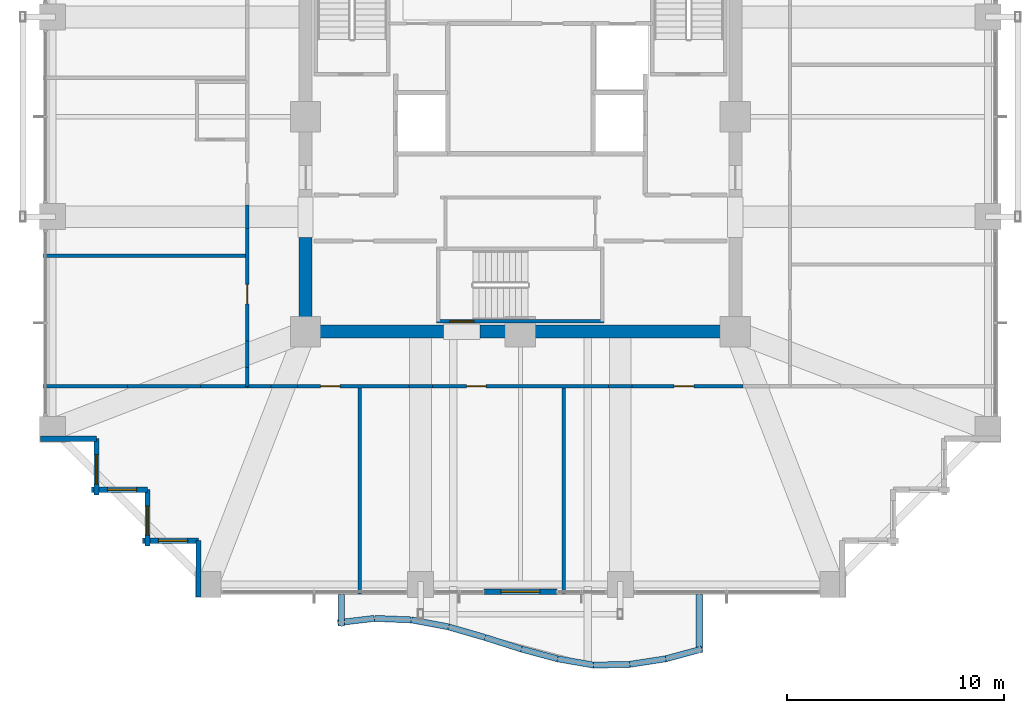
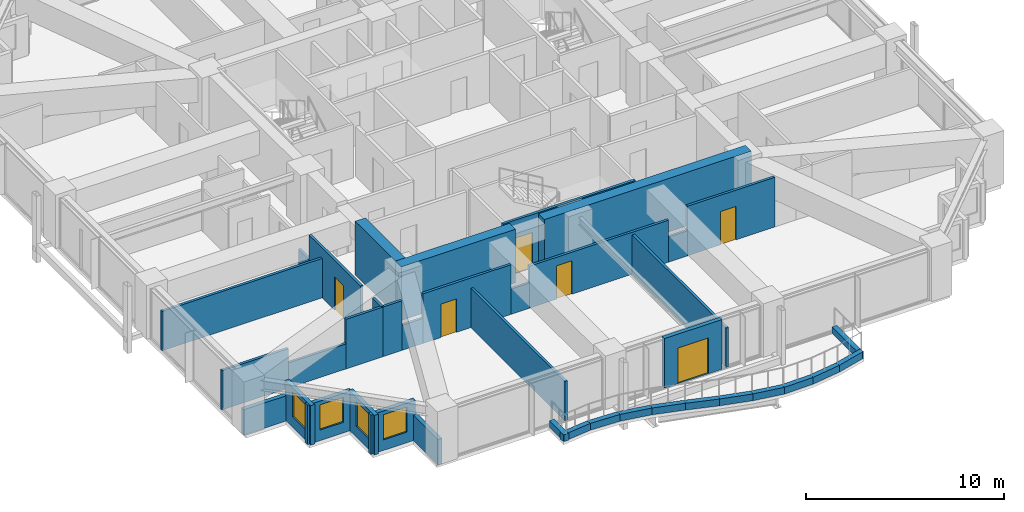
# One storey, part 31 of 37: 40 walls, 6 doors, 4 windows, 10 openings.
"""IFC4 building model written with IfcOpenShell, lengths in metres."""

import ifcopenshell
import ifcopenshell.guid

model = None  # the IFC model being written
_history = None  # IfcOwnerHistory: only IFC2X3 demands one
_inside = {}  # id of a spatial element -> (the spatial element, [elements in it])
_under = {}  # id of a project, library or spatial element -> (it, [spatial elements below it])
_declared = {}  # id of a project -> (the project, [libraries it declares])
_typed = {}  # id of a type object -> (the type object, [elements of that type])
_made_of = {}  # id of a material, layer set ... -> (it, [elements and type objects made of it])


def new_model(schema):
    """Start an empty IFC model of exactly this schema.

    Asked for "IFC4X3", IfcOpenShell would pick the latest addendum, in which some entities
    have other attributes; the version numbers below select the first issue.
    IFC2X3 requires an IfcOwnerHistory on every rooted entity: one is made here for all.
    """
    global model, _history
    if schema == "IFC4X3":
        model = ifcopenshell.file(schema_version=(4, 3, 0, 0))
    else:
        model = ifcopenshell.file(schema=schema)
    _inside.clear()
    _under.clear()
    _declared.clear()
    _typed.clear()
    _made_of.clear()
    _history = None
    if model.schema == "IFC2X3":
        org = make("IfcOrganization", Name="unknown")
        user = make(
            "IfcPersonAndOrganization",
            ThePerson=make("IfcPerson", FamilyName="unknown"),
            TheOrganization=org,
        )
        app = make(
            "IfcApplication",
            ApplicationDeveloper=org,
            Version="unknown",
            ApplicationFullName="unknown",
            ApplicationIdentifier="unknown",
        )
        _history = make(
            "IfcOwnerHistory",
            OwningUser=user,
            OwningApplication=app,
            ChangeAction="ADDED",
            CreationDate=0,
        )
    return model


def make(cls, **values):
    """One entity of the class cls with the attributes given. An attribute that is None is left unset."""
    return model.create_entity(
        cls, **{name: value for name, value in values.items() if value is not None}
    )


def rooted(cls, **values):
    """An entity with a GlobalId (a new one), such as an element, a storey or a relation."""
    return make(cls, GlobalId=ifcopenshell.guid.new(), OwnerHistory=_history, **values)


def si_unit(unit_type, name, prefix=None):
    """IfcSIUnit, for example si_unit("LENGTHUNIT", "METRE", prefix="MILLI")."""
    return make("IfcSIUnit", UnitType=unit_type, Prefix=prefix, Name=name)


def assignment(units):
    """IfcUnitAssignment: the units of a project."""
    return None if units is None else make("IfcUnitAssignment", Units=units)


def point(xyz):
    """IfcCartesianPoint."""
    return None if xyz is None else make("IfcCartesianPoint", Coordinates=xyz)


def direction(xyz):
    """IfcDirection."""
    return None if xyz is None else make("IfcDirection", DirectionRatios=xyz)


def frame(location, z_axis=None, x_axis=None):
    """IfcAxis2Placement3D, a coordinate frame: its origin and axes. An axis left out is left unset."""
    return make(
        "IfcAxis2Placement3D",
        Location=point(location),
        Axis=direction(z_axis),
        RefDirection=direction(x_axis),
    )


def frame_2d(location, x_axis=None):
    """IfcAxis2Placement2D, a coordinate frame in the plane: its origin and x axis."""
    return make(
        "IfcAxis2Placement2D", Location=point(location), RefDirection=direction(x_axis)
    )


def origin():
    """The frame at (0, 0, 0) with its axes left unset."""
    return frame((0.0, 0.0, 0.0))


def place(relative_to, where):
    """IfcLocalPlacement: puts the frame where relative to a parent placement (None: the world)."""
    return make(
        "IfcLocalPlacement", PlacementRelTo=relative_to, RelativePlacement=where
    )


def context(
    kind, dimensions, precision=None, world=None, true_north=None, identifier=None
):
    """IfcGeometricRepresentationContext, for example the 3D "Model" context."""
    return make(
        "IfcGeometricRepresentationContext",
        ContextIdentifier=identifier,
        ContextType=kind,
        CoordinateSpaceDimension=dimensions,
        Precision=precision,
        WorldCoordinateSystem=world,
        TrueNorth=true_north,
    )


def subcontext(parent, identifier, kind, view, scale=None):
    """IfcGeometricRepresentationSubContext, for example "Body" below "Model"."""
    return make(
        "IfcGeometricRepresentationSubContext",
        ContextIdentifier=identifier,
        ContextType=kind,
        ParentContext=parent,
        TargetScale=scale,
        TargetView=view,
    )


def project(units=None, contexts=None):
    """IfcProject with its units and contexts."""
    return rooted(
        "IfcProject",
        Name="project",
        RepresentationContexts=contexts,
        UnitsInContext=assignment(units),
    )


def spatial(cls, under=None, at=None, **own):
    """A site, building, storey or space (cls), placed at a placement, below another one or the project."""
    s = rooted(cls, ObjectPlacement=at, **own)
    if under is not None:
        _under.setdefault(under.id(), (under, []))[1].append(s)
    return s


def profile(cls, at=None, kind="AREA", **sizes):
    """A parametric profile (cls). Its sizes go by their IFC names, for example OverallWidth=200.0."""
    return make(cls, ProfileType=kind, Position=at, **sizes)


def rectangle(**sizes):
    """IfcRectangleProfileDef."""
    return profile("IfcRectangleProfileDef", **sizes)


def extrude(swept, where, along, depth):
    """IfcExtrudedAreaSolid: the profile swept, set in the frame where, extruded along a direction by depth."""
    return make(
        "IfcExtrudedAreaSolid",
        SweptArea=swept,
        Position=where,
        ExtrudedDirection=direction(along),
        Depth=depth,
    )


def shape(context_of_items, identifier, shape_type, items):
    """IfcShapeRepresentation: the items that make up one representation, for example the "Body"."""
    return make(
        "IfcShapeRepresentation",
        ContextOfItems=context_of_items,
        RepresentationIdentifier=identifier,
        RepresentationType=shape_type,
        Items=items,
    )


def material(Name=None, Category=None):
    """IfcMaterial."""
    return make("IfcMaterial", Name=Name, Category=Category)


def layer(
    of_material, thickness, ventilated=None, Name=None, Category=None, Priority=None
):
    """IfcMaterialLayer: one layer of a wall or slab, of a material (None: an air gap)."""
    return make(
        "IfcMaterialLayer",
        Material=of_material,
        LayerThickness=thickness,
        IsVentilated=ventilated,
        Name=Name,
        Category=Category,
        Priority=Priority,
    )


def layer_set(layers, Name=None):
    """IfcMaterialLayerSet."""
    return make("IfcMaterialLayerSet", MaterialLayers=layers, LayerSetName=Name)


def made_of(thing, what):
    """Note that an element or type object is made of a material, layer set ...; save() writes the relation."""
    if what is not None:
        _made_of.setdefault(what.id(), (what, []))[1].append(thing)
    return thing


def type_object(cls, material=None, **own):
    """A type object (cls), such as IfcWallType, which elements share."""
    return made_of(rooted(cls, **own), material)


def element(
    cls,
    number,
    at=None,
    inside=None,
    cuts=None,
    type_object=None,
    material=None,
    context=None,
    identifier="Body",
    shape_type=None,
    held_by="IfcProductDefinitionShape",
    body=None,
    shapes=None,
    **own,
):
    """One element of the class cls, such as IfcWall. Its Tag is "e" and its number.

    at: its placement. inside: the storey or other place that contains it. cuts: it is an
    opening in that element (IfcRelVoidsElement). A single representation is given by context,
    identifier, shape_type and body (its items); several are given by shapes. held_by: the class
    of the entity that holds the representations. save() writes the other relations.
    """
    e = rooted(cls, Tag="e%d" % number, ObjectPlacement=at, **own)
    if body is not None:
        shapes = [shape(context, identifier, shape_type, body)]
    if shapes is not None:
        e.Representation = make(held_by, Representations=shapes)
    if inside is not None:
        _inside.setdefault(inside.id(), (inside, []))[1].append(e)
    if cuts is not None:
        rooted(
            "IfcRelVoidsElement", RelatingBuildingElement=cuts, RelatedOpeningElement=e
        )
    if type_object is not None:
        _typed.setdefault(type_object.id(), (type_object, []))[1].append(e)
    return made_of(e, material)


def fill(opening, filler):
    """IfcRelFillsElement: the door or window that sits in an opening."""
    return rooted(
        "IfcRelFillsElement",
        RelatingOpeningElement=opening,
        RelatedBuildingElement=filler,
    )


def aggregate(whole, parts):
    """IfcRelAggregates: a whole, such as a stair, and the parts it consists of."""
    return rooted("IfcRelAggregates", RelatingObject=whole, RelatedObjects=parts)


def save(model, path):
    """Write the relations noted so far, then the file.

    IfcRelAggregates (storeys below a building ...), IfcRelContainedInSpatialStructure (elements
    in a storey), IfcRelDefinesByType, IfcRelAssociatesMaterial and IfcRelDeclares: one each for
    every whole, place, type object, material and project.
    """
    for whole, parts in _under.values():
        aggregate(whole, parts)
    for where, things in _inside.values():
        rooted(
            "IfcRelContainedInSpatialStructure",
            RelatedElements=things,
            RelatingStructure=where,
        )
    for kind, things in _typed.values():
        rooted("IfcRelDefinesByType", RelatedObjects=things, RelatingType=kind)
    for what, things in _made_of.values():
        rooted("IfcRelAssociatesMaterial", RelatedObjects=things, RelatingMaterial=what)
    for by, libraries in _declared.values():
        rooted("IfcRelDeclares", RelatingContext=by, RelatedDefinitions=libraries)
    model.write(path)


model = new_model("IFC4")

# Units and contexts
model_context = context("Model", 3, precision=1e-05, world=origin(), true_north=direction((0.0, 1.0)))
body_context = subcontext(model_context, "Body", "Model", "MODEL_VIEW")
ifc_project = project(units=[si_unit("LENGTHUNIT", "METRE"), si_unit("AREAUNIT", "SQUARE_METRE"), si_unit("VOLUMEUNIT", "CUBIC_METRE"), si_unit("PLANEANGLEUNIT", "RADIAN"), si_unit("MASSUNIT", "GRAM", prefix="KILO")], contexts=[model_context])

# Site, building, storey
site_placement = place(None, origin())
site = spatial("IfcSite", under=ifc_project, at=site_placement, CompositionType="ELEMENT")
building_placement = place(site_placement, origin())
building = spatial("IfcBuilding", under=site, at=building_placement, Name="Kolvaren Belvedere", CompositionType="ELEMENT")
storey_placement = place(building_placement, frame((0.0, 0.0, 43.60009765625)))
storey = spatial("IfcBuildingStorey", under=building, at=storey_placement, Name="L12", CompositionType="ELEMENT", Elevation=43.60009765625)

# Walls
ifc_material_1 = material(Name="Concrete C60/75", Category="concrete")
ifc_layer_1 = layer(ifc_material_1, 0.60009765625)
ifc_layer_set_1 = layer_set([ifc_layer_1], Name="Concrete C60/75")
wall_type_1 = type_object("IfcWallType", Name="CW-CORE-600", PredefinedType="SHEAR", material=ifc_layer_set_1)
wall_1_placement = place(storey_placement, frame((10.199951171875, -9.89990234375, 0.0), z_axis=(0.0, 0.0, 1.0), x_axis=(-1.0, 0.0, 0.0)))
element("IfcWall", 1, at=wall_1_placement, inside=storey, type_object=wall_type_1, Name="L12 South Core Shear Wall 1", PredefinedType="SHEAR", context=body_context, shape_type="SweptSolid", body=[
    extrude(rectangle(XDim=12.06005859375, YDim=0.60009765625, at=frame_2d((6.030029296875, 0.0))), origin(), (0.0, 0.0, 1.0), 3.2998046875),
])
wall_2_placement = place(storey_placement, frame((-3.5400390625, -9.89990234375, 0.0), z_axis=(0.0, 0.0, 1.0), x_axis=(-1.0, 0.0, 0.0)))
element("IfcWall", 2, at=wall_2_placement, inside=storey, type_object=wall_type_1, Name="L12 South Core Shear Wall 2", PredefinedType="SHEAR", context=body_context, shape_type="SweptSolid", body=[
    extrude(rectangle(XDim=6.659912109375, YDim=0.60009765625, at=frame_2d((3.330078125, 0.0))), origin(), (0.0, 0.0, 1.0), 3.2998046875),
])
wall_3_placement = place(storey_placement, frame((-9.89990234375, -9.60009765625, 0.0), z_axis=(0.0, 0.0, 1.0), x_axis=(0.0, 1.0, 0.0)))
element("IfcWall", 3, at=wall_3_placement, inside=storey, type_object=wall_type_1, Name="L12 West Core Shear Wall 1", PredefinedType="SHEAR", context=body_context, shape_type="SweptSolid", body=[
    extrude(rectangle(XDim=4.050048828125, YDim=0.60009765625, at=frame_2d((2.02490234375, 0.0))), origin(), (0.0, 0.0, 1.0), 3.2998046875),
])

# Wall, opening, door
ifc_material_2 = material(Name="Concrete C50/60", Category="concrete")
ifc_layer_2 = layer(ifc_material_2, 0.159912109375)
ifc_layer_set_2 = layer_set([ifc_layer_2], Name="Concrete C50/60")
wall_type_2 = type_object("IfcWallType", Name="CW-STAIR-160", PredefinedType="SHEAR", material=ifc_layer_set_2)
wall_4_placement = place(storey_placement, frame((3.860107421875, -9.429931640625, 0.0), z_axis=(0.0, 0.0, 1.0), x_axis=(-1.0, 0.0, 0.0)))
wall_4 = element("IfcWall", 4, at=wall_4_placement, inside=storey, type_object=wall_type_2, Name="L12 Stair ST-3 South Shear Wall", PredefinedType="SHEAR", context=body_context, shape_type="SweptSolid", body=[
    extrude(rectangle(XDim=7.72021484375, YDim=0.159912109375, at=frame_2d((3.860107421875, 0.0))), origin(), (0.0, 0.0, 1.0), 3.2998046875),
])
opening_1_placement = place(wall_4_placement, frame((6.010009765625, 0.0, 0.0)))
opening_1 = element("IfcOpeningElement", 5, at=opening_1_placement, cuts=wall_4, Name="Opening D-FD90", PredefinedType="OPENING", context=body_context, shape_type="SweptSolid", body=[
    extrude(rectangle(XDim=1.10009765625, YDim=2.199951171875, at=frame_2d((0.550048828125, 1.10009765625))), frame((0.0, 0.08984375, 0.0), z_axis=(0.0, -1.0, 0.0), x_axis=(1.0, 0.0, 0.0)), (0.0, 0.0, 1.0), 0.179931640625),
])
ifc_material_3 = material(Name="Painted hollow stainless steel", Category="steel")
door_type_1 = type_object("IfcDoorType", Name="DR-FD90-1100", OperationType="NOTDEFINED", PredefinedType="DOOR", material=ifc_material_3)
door_1_placement = place(opening_1_placement, origin())
door_1 = element("IfcDoor", 6, at=door_1_placement, inside=storey, type_object=door_type_1, Name="L12 Stair ST-3 Exit Door", OperationType="SINGLE_SWING_RIGHT", OverallHeight=2.199951171875, OverallWidth=1.10009765625, PredefinedType="DOOR", context=body_context, shape_type="SweptSolid", body=[
    extrude(rectangle(XDim=1.10009765625, YDim=2.199951171875, at=frame_2d((0.550048828125, 1.10009765625))), frame((0.0, 0.02490234375, 0.0), z_axis=(0.0, -1.0, 0.0), x_axis=(1.0, 0.0, 0.0)), (0.0, 0.0, 1.0), 0.050048828125),
])
fill(opening_1, door_1)

# Walls
ifc_material_4 = material(Name="Gypsum fire-rated partition assembly", Category="gypsum")
ifc_layer_3 = layer(ifc_material_4, 0.14990234375)
ifc_layer_set_3 = layer_set([ifc_layer_3], Name="Gypsum fire-rated partition assembly")
wall_type_3 = type_object("IfcWallType", Name="WL-CORR-150", PredefinedType="PARTITIONING", material=ifc_layer_set_3)
wall_5_placement = place(storey_placement, frame((-12.580078125, -12.419921875, 0.0), z_axis=(0.0, 0.0, 1.0), x_axis=(1.0, 0.0, 0.0)))
element("IfcWall", 7, at=wall_5_placement, inside=storey, type_object=wall_type_3, Name="L12 South Corridor Wall", PredefinedType="PARTITIONING", context=body_context, shape_type="SweptSolid", body=[
    extrude(rectangle(XDim=1.09423828125, YDim=0.14990234375, at=frame_2d((0.547119140625, 0.0))), origin(), (0.0, 0.0, 1.0), 3.059814453125),
])
wall_6_placement = place(storey_placement, frame((-11.48583984375, -12.419921875, 0.0), z_axis=(0.0, 0.0, 1.0), x_axis=(1.0, 0.0, 0.0)))
element("IfcWall", 8, at=wall_6_placement, inside=storey, type_object=wall_type_3, Name="L12 South Corridor Wall", PredefinedType="PARTITIONING", context=body_context, shape_type="SweptSolid", body=[
    extrude(rectangle(XDim=1.224853515625, YDim=0.14990234375, at=frame_2d((0.6123046875, 0.0))), origin(), (0.0, 0.0, 1.0), 1.544921875),
])

# Wall, opening, door
wall_7_placement = place(storey_placement, frame((-10.260986328125, -12.419921875, 0.0), z_axis=(0.0, 0.0, 1.0), x_axis=(1.0, 0.0, 0.0)))
wall_7 = element("IfcWall", 9, at=wall_7_placement, inside=storey, type_object=wall_type_3, Name="L12 South Corridor Wall", PredefinedType="PARTITIONING", context=body_context, shape_type="SweptSolid", body=[
    extrude(rectangle(XDim=5.118896484375, YDim=0.14990234375, at=frame_2d((2.5595703125, 0.0))), origin(), (0.0, 0.0, 1.0), 3.059814453125),
])
opening_2_placement = place(wall_7_placement, frame((1.059814453125, 0.0, 0.0)))
opening_2 = element("IfcOpeningElement", 10, at=opening_2_placement, cuts=wall_7, Name="Opening D-INT90", PredefinedType="OPENING", context=body_context, shape_type="SweptSolid", body=[
    extrude(rectangle(XDim=0.89990234375, YDim=2.06005859375, at=frame_2d((0.449951171875, 1.030029296875))), frame((0.0, 0.0849609375, 0.0), z_axis=(0.0, -1.0, 0.0), x_axis=(1.0, 0.0, 0.0)), (0.0, 0.0, 1.0), 0.169921875),
])
ifc_material_5 = material(Name="Stained Pacific white oak", Category="timber")
door_type_2 = type_object("IfcDoorType", Name="DR-INT-900", OperationType="NOTDEFINED", PredefinedType="DOOR", material=ifc_material_5)
door_2_placement = place(opening_2_placement, origin())
door_2 = element("IfcDoor", 11, at=door_2_placement, inside=storey, type_object=door_type_2, Name="L12 Lounge 1201 Door", OperationType="SINGLE_SWING_RIGHT", OverallHeight=2.06005859375, OverallWidth=0.89990234375, PredefinedType="DOOR", context=body_context, shape_type="SweptSolid", body=[
    extrude(rectangle(XDim=0.89990234375, YDim=2.06005859375, at=frame_2d((0.449951171875, 1.030029296875))), frame((0.0, 0.02490234375, 0.0), z_axis=(0.0, -1.0, 0.0), x_axis=(1.0, 0.0, 0.0)), (0.0, 0.0, 1.0), 0.050048828125),
])
fill(opening_2, door_2)

# Wall
wall_8_placement = place(storey_placement, frame((-5.14208984375, -12.419921875, 0.0), z_axis=(0.0, 0.0, 1.0), x_axis=(1.0, 0.0, 0.0)))
element("IfcWall", 12, at=wall_8_placement, inside=storey, type_object=wall_type_3, Name="L12 South Corridor Wall", PredefinedType="PARTITIONING", context=body_context, shape_type="SweptSolid", body=[
    extrude(rectangle(XDim=1.083984375, YDim=0.14990234375, at=frame_2d((0.5419921875, 0.0))), origin(), (0.0, 0.0, 1.0), 1.544921875),
])

# Wall, opening, door
wall_9_placement = place(storey_placement, frame((-4.05810546875, -12.419921875, 0.0), z_axis=(0.0, 0.0, 1.0), x_axis=(1.0, 0.0, 0.0)))
wall_9 = element("IfcWall", 13, at=wall_9_placement, inside=storey, type_object=wall_type_3, Name="L12 South Corridor Wall", PredefinedType="PARTITIONING", context=body_context, shape_type="SweptSolid", body=[
    extrude(rectangle(XDim=8.1162109375, YDim=0.14990234375, at=frame_2d((4.05810546875, 0.0))), origin(), (0.0, 0.0, 1.0), 2.5849609375),
])
opening_3_placement = place(wall_9_placement, frame((1.577880859375, 0.0, 0.0)))
opening_3 = element("IfcOpeningElement", 14, at=opening_3_placement, cuts=wall_9, Name="Opening D-INT90", PredefinedType="OPENING", context=body_context, shape_type="SweptSolid", body=[
    extrude(rectangle(XDim=0.89990234375, YDim=2.06005859375, at=frame_2d((0.449951171875, 1.030029296875))), frame((0.0, 0.0849609375, 0.0), z_axis=(0.0, -1.0, 0.0), x_axis=(1.0, 0.0, 0.0)), (0.0, 0.0, 1.0), 0.169921875),
])
door_3_placement = place(opening_3_placement, origin())
door_3 = element("IfcDoor", 15, at=door_3_placement, inside=storey, type_object=door_type_2, Name="L12 Guest Tea & Espresso Kitchen 1202 Door", OperationType="SINGLE_SWING_LEFT", OverallHeight=2.06005859375, OverallWidth=0.89990234375, PredefinedType="DOOR", context=body_context, shape_type="SweptSolid", body=[
    extrude(rectangle(XDim=0.89990234375, YDim=2.06005859375, at=frame_2d((0.449951171875, 1.030029296875))), frame((0.0, 0.02490234375, 0.0), z_axis=(0.0, -1.0, 0.0), x_axis=(1.0, 0.0, 0.0)), (0.0, 0.0, 1.0), 0.050048828125),
])
fill(opening_3, door_3)

# Wall
wall_10_placement = place(storey_placement, frame((4.05810546875, -12.419921875, 0.0), z_axis=(0.0, 0.0, 1.0), x_axis=(1.0, 0.0, 0.0)))
element("IfcWall", 16, at=wall_10_placement, inside=storey, type_object=wall_type_3, Name="L12 South Corridor Wall", PredefinedType="PARTITIONING", context=body_context, shape_type="SweptSolid", body=[
    extrude(rectangle(XDim=1.083984375, YDim=0.14990234375, at=frame_2d((0.5419921875, 0.0))), origin(), (0.0, 0.0, 1.0), 1.544921875),
])

# Wall, opening, door
wall_11_placement = place(storey_placement, frame((5.14208984375, -12.419921875, 0.0), z_axis=(0.0, 0.0, 1.0), x_axis=(1.0, 0.0, 0.0)))
wall_11 = element("IfcWall", 17, at=wall_11_placement, inside=storey, type_object=wall_type_3, Name="L12 South Corridor Wall", PredefinedType="PARTITIONING", context=body_context, shape_type="SweptSolid", body=[
    extrude(rectangle(XDim=5.118896484375, YDim=0.14990234375, at=frame_2d((2.5595703125, 0.0))), origin(), (0.0, 0.0, 1.0), 3.059814453125),
])
opening_4_placement = place(wall_11_placement, frame((1.943115234375, 0.0, 0.0)))
opening_4 = element("IfcOpeningElement", 18, at=opening_4_placement, cuts=wall_11, Name="Opening D-INT90", PredefinedType="OPENING", context=body_context, shape_type="SweptSolid", body=[
    extrude(rectangle(XDim=0.89990234375, YDim=2.06005859375, at=frame_2d((0.449951171875, 1.030029296875))), frame((0.0, 0.0849609375, 0.0), z_axis=(0.0, -1.0, 0.0), x_axis=(1.0, 0.0, 0.0)), (0.0, 0.0, 1.0), 0.169921875),
])
door_4_placement = place(opening_4_placement, origin())
door_4 = element("IfcDoor", 19, at=door_4_placement, inside=storey, type_object=door_type_2, Name="L12 Lounge 1203 Door", OperationType="SINGLE_SWING_RIGHT", OverallHeight=2.06005859375, OverallWidth=0.89990234375, PredefinedType="DOOR", context=body_context, shape_type="SweptSolid", body=[
    extrude(rectangle(XDim=0.89990234375, YDim=2.06005859375, at=frame_2d((0.449951171875, 1.030029296875))), frame((0.0, 0.02490234375, 0.0), z_axis=(0.0, -1.0, 0.0), x_axis=(1.0, 0.0, 0.0)), (0.0, 0.0, 1.0), 0.050048828125),
])
fill(opening_4, door_4)

# Walls
wall_12_placement = place(storey_placement, frame((-12.580078125, -12.419921875, 0.0), z_axis=(0.0, 0.0, 1.0), x_axis=(0.0, 1.0, 0.0)))
element("IfcWall", 20, at=wall_12_placement, inside=storey, type_object=wall_type_3, Name="L12 West Corridor Wall", PredefinedType="PARTITIONING", context=body_context, shape_type="SweptSolid", body=[
    extrude(rectangle(XDim=0.872314453125, YDim=0.14990234375, at=frame_2d((0.43603515625, 0.0))), origin(), (0.0, 0.0, 1.0), 3.059814453125),
])
wall_13_placement = place(storey_placement, frame((-12.580078125, -11.547607421875, 0.0), z_axis=(0.0, 0.0, 1.0), x_axis=(0.0, 1.0, 0.0)))
element("IfcWall", 21, at=wall_13_placement, inside=storey, type_object=wall_type_3, Name="L12 West Corridor Wall", PredefinedType="PARTITIONING", context=body_context, shape_type="SweptSolid", body=[
    extrude(rectangle(XDim=1.224853515625, YDim=0.14990234375, at=frame_2d((0.6123046875, 0.0))), origin(), (0.0, 0.0, 1.0), 1.544921875),
])

# Wall, opening, door
wall_14_placement = place(storey_placement, frame((-12.580078125, -10.32275390625, 0.0), z_axis=(0.0, 0.0, 1.0), x_axis=(0.0, 1.0, 0.0)))
wall_14 = element("IfcWall", 22, at=wall_14_placement, inside=storey, type_object=wall_type_3, Name="L12 West Corridor Wall", PredefinedType="PARTITIONING", context=body_context, shape_type="SweptSolid", body=[
    extrude(rectangle(XDim=5.1806640625, YDim=0.14990234375, at=frame_2d((2.59033203125, 0.0))), origin(), (0.0, 0.0, 1.0), 3.059814453125),
])
opening_5_placement = place(wall_14_placement, frame((1.703369140625, 0.0, 0.0)))
opening_5 = element("IfcOpeningElement", 23, at=opening_5_placement, cuts=wall_14, Name="Opening D-INT90", PredefinedType="OPENING", context=body_context, shape_type="SweptSolid", body=[
    extrude(rectangle(XDim=0.89990234375, YDim=2.06005859375, at=frame_2d((0.449951171875, 1.030029296875))), frame((0.0, 0.0849609375, 0.0), z_axis=(0.0, -1.0, 0.0), x_axis=(1.0, 0.0, 0.0)), (0.0, 0.0, 1.0), 0.169921875),
])
door_5_placement = place(opening_5_placement, origin())
door_5 = element("IfcDoor", 24, at=door_5_placement, inside=storey, type_object=door_type_2, Name="L12 Botanical Reading Salon 1207 Door", OperationType="SINGLE_SWING_RIGHT", OverallHeight=2.06005859375, OverallWidth=0.89990234375, PredefinedType="DOOR", context=body_context, shape_type="SweptSolid", body=[
    extrude(rectangle(XDim=0.89990234375, YDim=2.06005859375, at=frame_2d((0.449951171875, 1.030029296875))), frame((0.0, 0.02490234375, 0.0), z_axis=(0.0, -1.0, 0.0), x_axis=(1.0, 0.0, 0.0)), (0.0, 0.0, 1.0), 0.050048828125),
])
fill(opening_5, door_5)

# Wall
wall_15_placement = place(storey_placement, frame((-12.580078125, -5.14208984375, 0.0), z_axis=(0.0, 0.0, 1.0), x_axis=(0.0, 1.0, 0.0)))
element("IfcWall", 25, at=wall_15_placement, inside=storey, type_object=wall_type_3, Name="L12 West Corridor Wall", PredefinedType="PARTITIONING", context=body_context, shape_type="SweptSolid", body=[
    extrude(rectangle(XDim=1.083984375, YDim=0.14990234375, at=frame_2d((0.5419921875, 0.0))), origin(), (0.0, 0.0, 1.0), 1.544921875),
])

# Wall, opening, door
ifc_material_6 = material(Name="Insulated pale-metal facade wall assembly", Category="aluminium")
ifc_layer_4 = layer(ifc_material_6, 0.239990234375)
ifc_layer_set_4 = layer_set([ifc_layer_4], Name="Insulated pale-metal facade wall assembly")
wall_type_4 = type_object("IfcWallType", Name="WL-EXT-240", PredefinedType="STANDARD", material=ifc_layer_set_4)
wall_16_placement = place(storey_placement, frame((1.679931640625, -21.8798828125, 0.0), z_axis=(0.0, 0.0, 1.0), x_axis=(-1.0, 0.0, 0.0)))
wall_16 = element("IfcWall", 26, at=wall_16_placement, inside=storey, type_object=wall_type_4, Name="L12 South Terrace Portal Wall", PredefinedType="STANDARD", context=body_context, shape_type="SweptSolid", body=[
    extrude(rectangle(XDim=3.35986328125, YDim=0.239990234375, at=frame_2d((1.679931640625, 0.0))), origin(), (0.0, 0.0, 1.0), 3.059814453125),
])
opening_6_placement = place(wall_16_placement, frame((0.780029296875, 0.0, 0.0)))
opening_6 = element("IfcOpeningElement", 27, at=opening_6_placement, cuts=wall_16, Name="Opening DB-1800", PredefinedType="OPENING", context=body_context, shape_type="SweptSolid", body=[
    extrude(rectangle(XDim=1.800048828125, YDim=2.199951171875, at=frame_2d((0.89990234375, 1.10009765625))), frame((0.0, 0.1298828125, 0.0), z_axis=(0.0, -1.0, 0.0), x_axis=(1.0, 0.0, 0.0)), (0.0, 0.0, 1.0), 0.260009765625),
])
ifc_material_7 = material(Name="Thermally broken pale-metal aluminium & low-iron glass", Category="aluminium")
door_type_3 = type_object("IfcDoorType", Name="DR-BAL-1800", OperationType="DOUBLE_DOOR_SLIDING", PredefinedType="DOOR", material=ifc_material_7)
door_6_placement = place(opening_6_placement, origin())
door_6 = element("IfcDoor", 28, at=door_6_placement, inside=storey, type_object=door_type_3, Name="L12 South Planted Terrace Sliding Door", OperationType="DOUBLE_DOOR_SLIDING", OverallHeight=2.199951171875, OverallWidth=1.800048828125, PredefinedType="DOOR", context=body_context, shape_type="SweptSolid", body=[
    extrude(rectangle(XDim=1.800048828125, YDim=2.199951171875, at=frame_2d((0.89990234375, 1.10009765625))), frame((0.0, 0.02490234375, 0.0), z_axis=(0.0, -1.0, 0.0), x_axis=(1.0, 0.0, 0.0)), (0.0, 0.0, 1.0), 0.050048828125),
])
fill(opening_6, door_6)

# Wall
wall_17_placement = place(storey_placement, frame((-19.530029296875, -14.830078125, 0.0), z_axis=(0.0, 0.0, 1.0), x_axis=(-1.0, 0.0, 0.0)))
element("IfcWall", 29, at=wall_17_placement, inside=storey, type_object=wall_type_4, Name="L12 Serrated Corner Facade Wall 23", PredefinedType="STANDARD", context=body_context, shape_type="SweptSolid", body=[
    extrude(rectangle(XDim=2.590087890625, YDim=0.239990234375, at=frame_2d((1.294921875, 0.0))), origin(), (0.0, 0.0, 1.0), 1.554931640625),
])

# Wall, opening, window
wall_18_placement = place(storey_placement, frame((-19.530029296875, -17.419921875, 0.0), z_axis=(0.0, 0.0, 1.0), x_axis=(0.0, 1.0, 0.0)))
wall_18 = element("IfcWall", 30, at=wall_18_placement, inside=storey, type_object=wall_type_4, Name="L12 Serrated Corner Facade Wall 24", PredefinedType="STANDARD", context=body_context, shape_type="SweptSolid", body=[
    extrude(rectangle(XDim=2.58984375, YDim=0.239990234375, at=frame_2d((1.294921875, 0.0))), origin(), (0.0, 0.0, 1.0), 2.43896484375),
])
opening_7_placement = place(wall_18_placement, frame((0.5, 0.0, 0.64990234375)))
opening_7 = element("IfcOpeningElement", 31, at=opening_7_placement, cuts=wall_18, Name="Opening W-1350", PredefinedType="OPENING", context=body_context, shape_type="SweptSolid", body=[
    extrude(rectangle(XDim=1.35009765625, YDim=1.550048828125, at=frame_2d((0.675048828125, 0.77490234375))), frame((0.0, 0.1298828125, 0.0), z_axis=(0.0, -1.0, 0.0), x_axis=(1.0, 0.0, 0.0)), (0.0, 0.0, 1.0), 0.260009765625),
])
ifc_material_8 = material(Name="Low-iron triple insulated glass", Category="glass")
window_type = type_object("IfcWindowType", Name="WN-CORN-1350", PartitioningType="SINGLE_PANEL", PredefinedType="WINDOW", material=ifc_material_8)
window_1_placement = place(opening_7_placement, origin())
window_1 = element("IfcWindow", 32, at=window_1_placement, inside=storey, type_object=window_type, Name="L12 Serrated Corner Vision Window 24", OverallHeight=1.550048828125, OverallWidth=1.35009765625, PartitioningType="SINGLE_PANEL", PredefinedType="WINDOW", context=body_context, shape_type="SweptSolid", body=[
    extrude(rectangle(XDim=1.35009765625, YDim=1.550048828125, at=frame_2d((0.675048828125, 0.77490234375))), frame((0.0, 0.030029296875, 0.0), z_axis=(0.0, -1.0, 0.0), x_axis=(1.0, 0.0, 0.0)), (0.0, 0.0, 1.0), 0.06005859375),
])
fill(opening_7, window_1)

wall_19_placement = place(storey_placement, frame((-17.179931640625, -17.179931640625, 0.0), z_axis=(0.0, 0.0, 1.0), x_axis=(-1.0, 0.0, 0.0)))
wall_19 = element("IfcWall", 33, at=wall_19_placement, inside=storey, type_object=wall_type_4, Name="L12 Serrated Corner Facade Wall 25", PredefinedType="STANDARD", context=body_context, shape_type="SweptSolid", body=[
    extrude(rectangle(XDim=2.590087890625, YDim=0.239990234375, at=frame_2d((1.294921875, 0.0))), origin(), (0.0, 0.0, 1.0), 2.43896484375),
])
opening_8_placement = place(wall_19_placement, frame((0.5, 0.0, 0.64990234375)))
opening_8 = element("IfcOpeningElement", 34, at=opening_8_placement, cuts=wall_19, Name="Opening W-1350", PredefinedType="OPENING", context=body_context, shape_type="SweptSolid", body=[
    extrude(rectangle(XDim=1.35009765625, YDim=1.550048828125, at=frame_2d((0.675048828125, 0.77490234375))), frame((0.0, 0.1298828125, 0.0), z_axis=(0.0, -1.0, 0.0), x_axis=(1.0, 0.0, 0.0)), (0.0, 0.0, 1.0), 0.260009765625),
])
window_2_placement = place(opening_8_placement, origin())
window_2 = element("IfcWindow", 35, at=window_2_placement, inside=storey, type_object=window_type, Name="L12 Serrated Corner Vision Window 25", OverallHeight=1.550048828125, OverallWidth=1.35009765625, PartitioningType="SINGLE_PANEL", PredefinedType="WINDOW", context=body_context, shape_type="SweptSolid", body=[
    extrude(rectangle(XDim=1.35009765625, YDim=1.550048828125, at=frame_2d((0.675048828125, 0.77490234375))), frame((0.0, 0.030029296875, 0.0), z_axis=(0.0, -1.0, 0.0), x_axis=(1.0, 0.0, 0.0)), (0.0, 0.0, 1.0), 0.06005859375),
])
fill(opening_8, window_2)

wall_20_placement = place(storey_placement, frame((-17.179931640625, -19.77001953125, 0.0), z_axis=(0.0, 0.0, 1.0), x_axis=(0.0, 1.0, 0.0)))
wall_20 = element("IfcWall", 36, at=wall_20_placement, inside=storey, type_object=wall_type_4, Name="L12 Serrated Corner Facade Wall 26", PredefinedType="STANDARD", context=body_context, shape_type="SweptSolid", body=[
    extrude(rectangle(XDim=2.590087890625, YDim=0.239990234375, at=frame_2d((1.294921875, 0.0))), origin(), (0.0, 0.0, 1.0), 2.43896484375),
])
opening_9_placement = place(wall_20_placement, frame((0.5, 0.0, 0.64990234375)))
opening_9 = element("IfcOpeningElement", 37, at=opening_9_placement, cuts=wall_20, Name="Opening W-1350", PredefinedType="OPENING", context=body_context, shape_type="SweptSolid", body=[
    extrude(rectangle(XDim=1.35009765625, YDim=1.550048828125, at=frame_2d((0.675048828125, 0.77490234375))), frame((0.0, 0.1298828125, 0.0), z_axis=(0.0, -1.0, 0.0), x_axis=(1.0, 0.0, 0.0)), (0.0, 0.0, 1.0), 0.260009765625),
])
window_3_placement = place(opening_9_placement, origin())
window_3 = element("IfcWindow", 38, at=window_3_placement, inside=storey, type_object=window_type, Name="L12 Serrated Corner Vision Window 26", OverallHeight=1.550048828125, OverallWidth=1.35009765625, PartitioningType="SINGLE_PANEL", PredefinedType="WINDOW", context=body_context, shape_type="SweptSolid", body=[
    extrude(rectangle(XDim=1.35009765625, YDim=1.550048828125, at=frame_2d((0.675048828125, 0.77490234375))), frame((0.0, 0.030029296875, 0.0), z_axis=(0.0, -1.0, 0.0), x_axis=(1.0, 0.0, 0.0)), (0.0, 0.0, 1.0), 0.06005859375),
])
fill(opening_9, window_3)

wall_21_placement = place(storey_placement, frame((-14.830078125, -19.530029296875, 0.0), z_axis=(0.0, 0.0, 1.0), x_axis=(-1.0, 0.0, 0.0)))
wall_21 = element("IfcWall", 39, at=wall_21_placement, inside=storey, type_object=wall_type_4, Name="L12 Serrated Corner Facade Wall 27", PredefinedType="STANDARD", context=body_context, shape_type="SweptSolid", body=[
    extrude(rectangle(XDim=2.58984375, YDim=0.239990234375, at=frame_2d((1.294921875, 0.0))), origin(), (0.0, 0.0, 1.0), 2.43896484375),
])
opening_10_placement = place(wall_21_placement, frame((0.5, 0.0, 0.64990234375)))
opening_10 = element("IfcOpeningElement", 40, at=opening_10_placement, cuts=wall_21, Name="Opening W-1350", PredefinedType="OPENING", context=body_context, shape_type="SweptSolid", body=[
    extrude(rectangle(XDim=1.35009765625, YDim=1.550048828125, at=frame_2d((0.675048828125, 0.77490234375))), frame((0.0, 0.1298828125, 0.0), z_axis=(0.0, -1.0, 0.0), x_axis=(1.0, 0.0, 0.0)), (0.0, 0.0, 1.0), 0.260009765625),
])
window_4_placement = place(opening_10_placement, origin())
window_4 = element("IfcWindow", 41, at=window_4_placement, inside=storey, type_object=window_type, Name="L12 Serrated Corner Vision Window 27", OverallHeight=1.550048828125, OverallWidth=1.35009765625, PartitioningType="SINGLE_PANEL", PredefinedType="WINDOW", context=body_context, shape_type="SweptSolid", body=[
    extrude(rectangle(XDim=1.35009765625, YDim=1.550048828125, at=frame_2d((0.675048828125, 0.77490234375))), frame((0.0, 0.030029296875, 0.0), z_axis=(0.0, -1.0, 0.0), x_axis=(1.0, 0.0, 0.0)), (0.0, 0.0, 1.0), 0.06005859375),
])
fill(opening_10, window_4)

# Walls
wall_22_placement = place(storey_placement, frame((-14.830078125, -22.1201171875, 0.0), z_axis=(0.0, 0.0, 1.0), x_axis=(0.0, 1.0, 0.0)))
element("IfcWall", 42, at=wall_22_placement, inside=storey, type_object=wall_type_4, Name="L12 Serrated Corner Facade Wall 28", PredefinedType="STANDARD", context=body_context, shape_type="SweptSolid", body=[
    extrude(rectangle(XDim=2.590087890625, YDim=0.239990234375, at=frame_2d((1.294921875, 0.0))), origin(), (0.0, 0.0, 1.0), 1.554931640625),
])
ifc_material_9 = material(Name="Gypsum acoustic partition assembly", Category="gypsum")
ifc_layer_5 = layer(ifc_material_9, 0.14990234375)
ifc_layer_set_5 = layer_set([ifc_layer_5], Name="Gypsum acoustic partition assembly")
wall_type_5 = type_object("IfcWallType", Name="WL-PART-150", PredefinedType="PARTITIONING", material=ifc_layer_set_5)
wall_23_placement = place(storey_placement, frame((-21.97998046875, -12.419921875, 0.0), z_axis=(0.0, 0.0, 1.0), x_axis=(1.0, 0.0, 0.0)))
element("IfcWall", 43, at=wall_23_placement, inside=storey, type_object=wall_type_5, Name="L12 Wing Divider PW-L12-QSW", PredefinedType="PARTITIONING", context=body_context, shape_type="SweptSolid", body=[
    extrude(rectangle(XDim=3.8798828125, YDim=0.14990234375, at=frame_2d((1.93994140625, 0.0))), origin(), (0.0, 0.0, 1.0), 2.428955078125),
])
wall_24_placement = place(storey_placement, frame((-18.10009765625, -12.419921875, 0.0), z_axis=(0.0, 0.0, 1.0), x_axis=(1.0, 0.0, 0.0)))
element("IfcWall", 44, at=wall_24_placement, inside=storey, type_object=wall_type_5, Name="L12 Wing Divider PW-L12-QSW", PredefinedType="PARTITIONING", context=body_context, shape_type="SweptSolid", body=[
    extrude(rectangle(XDim=3.352294921875, YDim=0.14990234375, at=frame_2d((1.67626953125, 0.0))), origin(), (0.0, 0.0, 1.0), 1.544921875),
])
wall_25_placement = place(storey_placement, frame((-14.747802734375, -12.419921875, 0.0), z_axis=(0.0, 0.0, 1.0), x_axis=(1.0, 0.0, 0.0)))
element("IfcWall", 45, at=wall_25_placement, inside=storey, type_object=wall_type_5, Name="L12 Wing Divider PW-L12-QSW", PredefinedType="PARTITIONING", context=body_context, shape_type="SweptSolid", body=[
    extrude(rectangle(XDim=2.167724609375, YDim=0.14990234375, at=frame_2d((1.083984375, 0.0))), origin(), (0.0, 0.0, 1.0), 3.059814453125),
])
for number, where, z_axis, x_axis, name in (
    (46, (-7.39990234375, -21.97998046875, 0.0), (0.0, 0.0, 1.0), (0.0, 1.0, 0.0), "L12 South Suite Demising Wall 1"),
    (47, (2.0, -21.97998046875, 0.0), (0.0, 0.0, 1.0), (0.0, 1.0, 0.0), "L12 South Suite Demising Wall 2"),
):
    element("IfcWall", number, at=place(storey_placement, frame(where, z_axis=z_axis, x_axis=x_axis)), inside=storey, type_object=wall_type_5, Name=name, PredefinedType="PARTITIONING", context=body_context, shape_type="SweptSolid", body=[
        extrude(rectangle(XDim=9.56005859375, YDim=0.14990234375, at=frame_2d((4.780029296875, 0.0))), origin(), (0.0, 0.0, 1.0), 2.428955078125),
    ])
wall_26_placement = place(storey_placement, frame((-21.97998046875, -6.39990234375, 0.0), z_axis=(0.0, 0.0, 1.0), x_axis=(1.0, 0.0, 0.0)))
element("IfcWall", 48, at=wall_26_placement, inside=storey, type_object=wall_type_5, Name="L12 West Suite Demising Wall 1", PredefinedType="PARTITIONING", context=body_context, shape_type="SweptSolid", body=[
    extrude(rectangle(XDim=9.39990234375, YDim=0.14990234375, at=frame_2d((4.699951171875, 0.0))), origin(), (0.0, 0.0, 1.0), 2.428955078125),
])
ifc_material_10 = material(Name="Precast concrete C40/50", Category="concrete")
ifc_layer_6 = layer(ifc_material_10, 0.300048828125)
ifc_layer_set_6 = layer_set([ifc_layer_6], Name="Precast concrete C40/50")
wall_type_6 = type_object("IfcWallType", Name="WL-PLANTER-300", PredefinedType="PARAPET", material=ifc_layer_set_6)
wall_27_placement = place(storey_placement, frame((-8.418701171875, -23.307373046875, -0.06005859375), z_axis=(0.0, 0.0, 1.0), x_axis=(0.993142720498, 0.116908240605, 0.0)))
element("IfcWall", 49, at=wall_27_placement, inside=storey, type_object=wall_type_6, Name="L12 Precast Structural Planter Wall BAL-S-1", PredefinedType="PARAPET", context=body_context, shape_type="SweptSolid", body=[
    extrude(rectangle(XDim=1.691650390625, YDim=0.280029296875, at=frame_2d((0.845703125, 0.0))), origin(), (0.0, 0.0, 1.0), 0.419921875),
])
wall_28_placement = place(storey_placement, frame((-6.713623046875, -23.108642578125, -0.06005859375), z_axis=(0.0, 0.0, 1.0), x_axis=(0.999202349922, -0.039933243166, 0.0)))
element("IfcWall", 50, at=wall_28_placement, inside=storey, type_object=wall_type_6, Name="L12 Precast Structural Planter Wall BAL-S-2", PredefinedType="PARAPET", context=body_context, shape_type="SweptSolid", body=[
    extrude(rectangle(XDim=1.68115234375, YDim=0.280029296875, at=frame_2d((0.840576171875, 0.0))), origin(), (0.0, 0.0, 1.0), 0.419921875),
])
wall_29_placement = place(storey_placement, frame((-5.010498046875, -23.1787109375, -0.06005859375), z_axis=(0.0, 0.0, 1.0), x_axis=(0.982804219087, -0.184650661912, 0.0)))
element("IfcWall", 51, at=wall_29_placement, inside=storey, type_object=wall_type_6, Name="L12 Precast Structural Planter Wall BAL-S-3", PredefinedType="PARAPET", context=body_context, shape_type="SweptSolid", body=[
    extrude(rectangle(XDim=1.70947265625, YDim=0.280029296875, at=frame_2d((0.854736328125, 0.0))), origin(), (0.0, 0.0, 1.0), 0.419921875),
])
wall_30_placement = place(storey_placement, frame((-3.3154296875, -23.497802734375, -0.06005859375), z_axis=(0.0, 0.0, 1.0), x_axis=(0.96059663827, -0.277946215201, 0.0)))
element("IfcWall", 52, at=wall_30_placement, inside=storey, type_object=wall_type_6, Name="L12 Precast Structural Planter Wall BAL-S-4", PredefinedType="PARAPET", context=body_context, shape_type="SweptSolid", body=[
    extrude(rectangle(XDim=1.748779296875, YDim=0.280029296875, at=frame_2d((0.87451171875, 0.0))), origin(), (0.0, 0.0, 1.0), 0.419921875),
])
wall_31_placement = place(storey_placement, frame((-1.63134765625, -23.985107421875, -0.06005859375), z_axis=(0.0, 0.0, 1.0), x_axis=(0.952661770826, -0.304032153573, 0.0)))
element("IfcWall", 53, at=wall_31_placement, inside=storey, type_object=wall_type_6, Name="L12 Precast Structural Planter Wall BAL-S-5", PredefinedType="PARAPET", context=body_context, shape_type="SweptSolid", body=[
    extrude(rectangle(XDim=1.763427734375, YDim=0.280029296875, at=frame_2d((0.8818359375, 0.0))), origin(), (0.0, 0.0, 1.0), 0.419921875),
])
wall_32_placement = place(storey_placement, frame((0.041748046875, -24.519287109375, -0.06005859375), z_axis=(0.0, 0.0, 1.0), x_axis=(0.965424492388, -0.260682852326, 0.0)))
element("IfcWall", 54, at=wall_32_placement, inside=storey, type_object=wall_type_6, Name="L12 Precast Structural Planter Wall BAL-S-6", PredefinedType="PARAPET", context=body_context, shape_type="SweptSolid", body=[
    extrude(rectangle(XDim=1.739990234375, YDim=0.280029296875, at=frame_2d((0.8701171875, 0.0))), origin(), (0.0, 0.0, 1.0), 0.419921875),
])
wall_33_placement = place(storey_placement, frame((1.70751953125, -24.9697265625, -0.06005859375), z_axis=(0.0, 0.0, 1.0), x_axis=(0.985156010777, -0.171661394699, 0.0)))
element("IfcWall", 55, at=wall_33_placement, inside=storey, type_object=wall_type_6, Name="L12 Precast Structural Planter Wall BAL-S-7", PredefinedType="PARAPET", context=body_context, shape_type="SweptSolid", body=[
    extrude(rectangle(XDim=1.705322265625, YDim=0.280029296875, at=frame_2d((0.8525390625, 0.0))), origin(), (0.0, 0.0, 1.0), 0.419921875),
])
wall_34_placement = place(storey_placement, frame((3.356689453125, -25.260009765625, -0.06005859375), z_axis=(0.0, 0.0, 1.0), x_axis=(0.99979609052, 0.020193498486, 0.0)))
element("IfcWall", 56, at=wall_34_placement, inside=storey, type_object=wall_type_6, Name="L12 Precast Structural Planter Wall BAL-S-8", PredefinedType="PARAPET", context=body_context, shape_type="SweptSolid", body=[
    extrude(rectangle(XDim=1.680419921875, YDim=0.280029296875, at=frame_2d((0.84033203125, 0.0))), origin(), (0.0, 0.0, 1.0), 0.419921875),
])
wall_35_placement = place(storey_placement, frame((5.015625, -25.22802734375, -0.06005859375), z_axis=(0.0, 0.0, 1.0), x_axis=(0.988341789514, 0.152251460091, 0.0)))
element("IfcWall", 57, at=wall_35_placement, inside=storey, type_object=wall_type_6, Name="L12 Precast Structural Planter Wall BAL-S-9", PredefinedType="PARAPET", context=body_context, shape_type="SweptSolid", body=[
    extrude(rectangle(XDim=1.69970703125, YDim=0.280029296875, at=frame_2d((0.849853515625, 0.0))), origin(), (0.0, 0.0, 1.0), 0.419921875),
])
wall_36_placement = place(storey_placement, frame((6.67822265625, -24.972900390625, -0.06005859375), z_axis=(0.0, 0.0, 1.0), x_axis=(0.965434024814, 0.260647546949, 0.0)))
element("IfcWall", 58, at=wall_36_placement, inside=storey, type_object=wall_type_6, Name="L12 Precast Structural Planter Wall BAL-S-10", PredefinedType="PARAPET", context=body_context, shape_type="SweptSolid", body=[
    extrude(rectangle(XDim=1.740234375, YDim=0.280029296875, at=frame_2d((0.8701171875, 0.0))), origin(), (0.0, 0.0, 1.0), 0.419921875),
])
wall_37_placement = place(storey_placement, frame((8.239990234375, -24.673583984375, -0.06005859375), z_axis=(0.0, 0.0, 1.0), x_axis=(0.0, 1.0, 0.0)))
element("IfcWall", 59, at=wall_37_placement, inside=storey, type_object=wall_type_6, Name="L12 Precast Structural Planter Wall BAL-S-11", PredefinedType="PARAPET", context=body_context, shape_type="SweptSolid", body=[
    extrude(rectangle(XDim=2.673583984375, YDim=0.280029296875, at=frame_2d((1.3369140625, 0.0))), origin(), (0.0, 0.0, 1.0), 0.419921875),
])
wall_38_placement = place(storey_placement, frame((-8.239990234375, -22.0, -0.06005859375), z_axis=(0.0, 0.0, 1.0), x_axis=(0.0, -1.0, 0.0)))
element("IfcWall", 60, at=wall_38_placement, inside=storey, type_object=wall_type_6, Name="L12 Precast Structural Planter Wall BAL-S-22", PredefinedType="PARAPET", context=body_context, shape_type="SweptSolid", body=[
    extrude(rectangle(XDim=1.46630859375, YDim=0.280029296875, at=frame_2d((0.733154296875, 0.0))), origin(), (0.0, 0.0, 1.0), 0.419921875),
])

save(model, "model.ifc")
